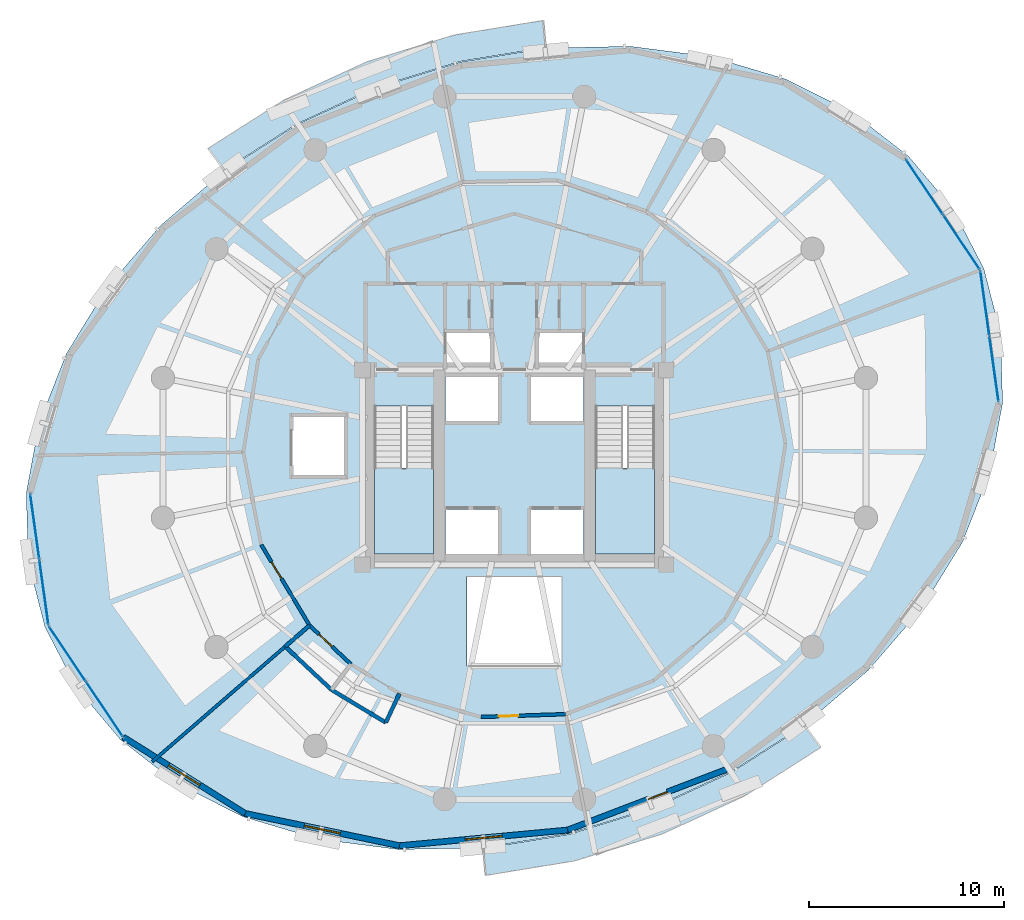
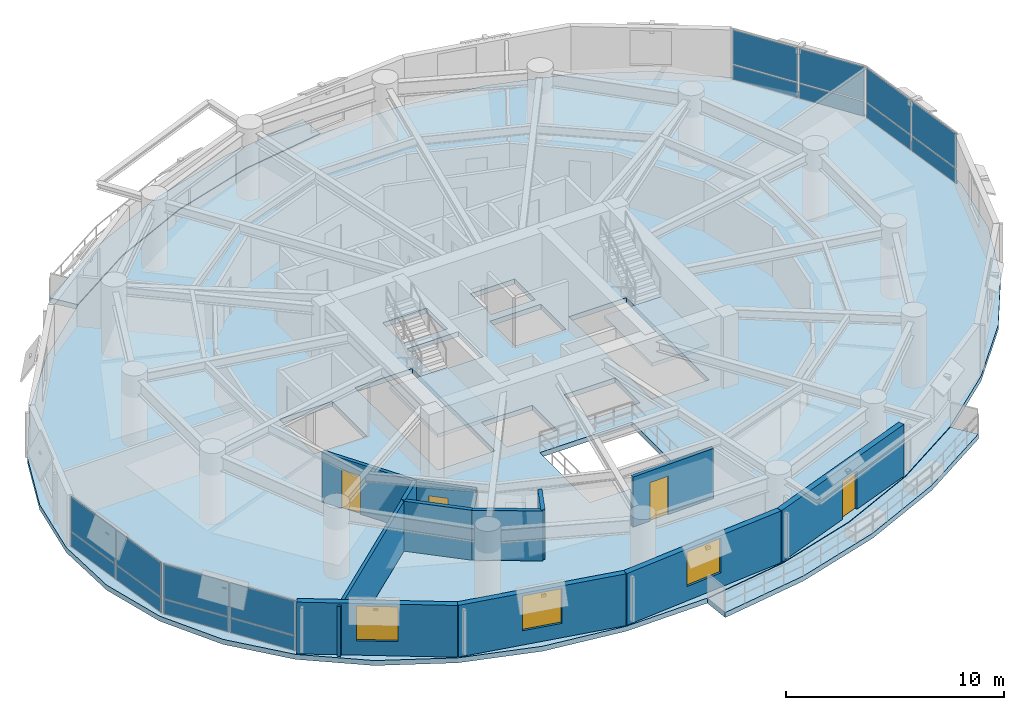
# One storey, part 9 of 15: 16 plates, 12 walls, 5 slabs, 4 doors, 3 windows, 7 openings, 6 elements without a shape of their own.
"""IFC4 building model written with IfcOpenShell, lengths in metres."""

from ifc_helpers import new_model, si_unit, direction, frame, frame_2d, origin, origin_2d, place, context, subcontext, project, spatial, polyline, rectangle, outline, extrude, material, layer, layer_set, type_object, element, fill, aggregate, save


model = new_model("IFC4")

# Units and contexts
model_context = context("Model", 3, precision=1e-05, world=origin(), true_north=direction((0.0, 1.0)))
body_context = subcontext(model_context, "Body", "Model", "MODEL_VIEW")
ifc_project = project(units=[si_unit("LENGTHUNIT", "METRE"), si_unit("AREAUNIT", "SQUARE_METRE"), si_unit("VOLUMEUNIT", "CUBIC_METRE"), si_unit("PLANEANGLEUNIT", "RADIAN"), si_unit("MASSUNIT", "GRAM", prefix="KILO"), si_unit("THERMODYNAMICTEMPERATUREUNIT", "KELVIN"), si_unit("POWERUNIT", "WATT")], contexts=[model_context])

# Site, building, storey
site_placement = place(None, origin())
site = spatial("IfcSite", under=ifc_project, at=site_placement, CompositionType="ELEMENT")
building_placement = place(site_placement, origin())
building = spatial("IfcBuilding", under=site, at=building_placement, Name="Ocrelia Relay Tower", CompositionType="ELEMENT")
storey_placement = place(building_placement, frame((0.0, 0.0, 121.800048828125)))
storey = spatial("IfcBuildingStorey", under=building, at=storey_placement, Name="L28", CompositionType="ELEMENT", Elevation=121.800048828125)

# Curtain wall, plates
ifc_material_1 = material(Name="Aluminium and solar-control low-E glass", Category="aluminium")
ifc_layer_1 = layer(ifc_material_1, 0.179931640625, Name="Aluminium and solar-control low-E glass")
ifc_layer_set_1 = layer_set([ifc_layer_1], Name="Aluminium and solar-control low-E glass")
curtain_wall_type = type_object("IfcCurtainWallType", Name="CW-SYS-Z2-SWIT", PredefinedType="NOTDEFINED", material=ifc_layer_set_1)
curtain_wall_1_placement = place(storey_placement, origin())
curtain_wall_1 = element("IfcCurtainWall", 1, at=curtain_wall_1_placement, inside=storey, type_object=curtain_wall_type, Name="L28 Elliptical Tower Curtain Wall Bay 01", PredefinedType="NOTDEFINED")
ifc_material_2 = material(Name="Clear double-glazed low-E glass", Category="glass")
ifc_layer_2 = layer(ifc_material_2, 0.031982421875, Name="Clear double-glazed low-E glass")
ifc_layer_set_2 = layer_set([ifc_layer_2], Name="Clear double-glazed low-E glass")
plate_type = type_object("IfcPlateType", Name="CW-SYS-Z2-SWIT-PNL", PredefinedType="CURTAIN_PANEL", material=ifc_layer_set_2)
plate_1_placement = place(storey_placement, frame((56.947509765625, 36.574951171875, 0.059814453125), z_axis=(0.0, 0.0, 1.0), x_axis=(-0.5572973393, 0.830312998579, 0.0)))
plate_1 = element("IfcPlate", 2, at=plate_1_placement, type_object=plate_type, Name="CW-Z2 panel 1.1", PredefinedType="CURTAIN_PANEL", context=body_context, shape_type="SweptSolid", body=[
    extrude(rectangle(XDim=3.33447265625, YDim=0.031982421875, at=origin_2d()), origin(), (0.0, 0.0, 1.0), 0.81005859375),
])
plate_2_placement = place(storey_placement, frame((56.947509765625, 36.574951171875, 0.93017578125), z_axis=(0.0, 0.0, 1.0), x_axis=(-0.5572973393, 0.830312998579, 0.0)))
plate_2 = element("IfcPlate", 3, at=plate_2_placement, type_object=plate_type, Name="CW-Z2 panel 1.2", PredefinedType="CURTAIN_PANEL", context=body_context, shape_type="SweptSolid", body=[
    extrude(rectangle(XDim=3.33447265625, YDim=0.031982421875, at=origin_2d()), origin(), (0.0, 0.0, 1.0), 1.909912109375),
])
plate_3_placement = place(storey_placement, frame((55.050048828125, 39.40185546875, 0.059814453125), z_axis=(0.0, 0.0, 1.0), x_axis=(-0.5572973393, 0.830312998579, 0.0)))
plate_3 = element("IfcPlate", 4, at=plate_3_placement, type_object=plate_type, Name="CW-Z2 panel 2.1", PredefinedType="CURTAIN_PANEL", context=body_context, shape_type="SweptSolid", body=[
    extrude(rectangle(XDim=3.33447265625, YDim=0.031982421875, at=origin_2d()), origin(), (0.0, 0.0, 1.0), 0.81005859375),
])
plate_4_placement = place(storey_placement, frame((55.050048828125, 39.40185546875, 0.93017578125), z_axis=(0.0, 0.0, 1.0), x_axis=(-0.5572973393, 0.830312998579, 0.0)))
plate_4 = element("IfcPlate", 5, at=plate_4_placement, type_object=plate_type, Name="CW-Z2 panel 2.2", PredefinedType="CURTAIN_PANEL", context=body_context, shape_type="SweptSolid", body=[
    extrude(rectangle(XDim=3.33447265625, YDim=0.031982421875, at=origin_2d()), origin(), (0.0, 0.0, 1.0), 1.909912109375),
])
aggregate(curtain_wall_1, [plate_1, plate_2, plate_3, plate_4])

curtain_wall_2_placement = place(storey_placement, origin())
curtain_wall_2 = element("IfcCurtainWall", 6, at=curtain_wall_2_placement, inside=storey, type_object=curtain_wall_type, Name="L28 Elliptical Tower Curtain Wall Bay 09", PredefinedType="NOTDEFINED")
plate_5_placement = place(storey_placement, frame((9.375, 21.960205078125, 0.059814453125), z_axis=(0.0, 0.0, 1.0), x_axis=(0.137983136196, -0.990434578418, 0.0)))
plate_5 = element("IfcPlate", 7, at=plate_5_placement, type_object=plate_type, Name="CW-Z2 panel 1.1", PredefinedType="CURTAIN_PANEL", context=body_context, shape_type="SweptSolid", body=[
    extrude(rectangle(XDim=3.33447265625, YDim=0.031982421875, at=origin_2d()), origin(), (0.0, 0.0, 1.0), 0.81005859375),
])
plate_6_placement = place(storey_placement, frame((9.375, 21.960205078125, 0.93017578125), z_axis=(0.0, 0.0, 1.0), x_axis=(0.137983136196, -0.990434578418, 0.0)))
plate_6 = element("IfcPlate", 8, at=plate_6_placement, type_object=plate_type, Name="CW-Z2 panel 1.2", PredefinedType="CURTAIN_PANEL", context=body_context, shape_type="SweptSolid", body=[
    extrude(rectangle(XDim=3.33447265625, YDim=0.031982421875, at=origin_2d()), origin(), (0.0, 0.0, 1.0), 1.909912109375),
])
plate_7_placement = place(storey_placement, frame((9.8447265625, 18.588134765625, 0.059814453125), z_axis=(0.0, 0.0, 1.0), x_axis=(0.137983136196, -0.990434578418, 0.0)))
plate_7 = element("IfcPlate", 9, at=plate_7_placement, type_object=plate_type, Name="CW-Z2 panel 2.1", PredefinedType="CURTAIN_PANEL", context=body_context, shape_type="SweptSolid", body=[
    extrude(rectangle(XDim=3.33447265625, YDim=0.031982421875, at=origin_2d()), origin(), (0.0, 0.0, 1.0), 0.81005859375),
])
plate_8_placement = place(storey_placement, frame((9.8447265625, 18.588134765625, 0.93017578125), z_axis=(0.0, 0.0, 1.0), x_axis=(0.137983136196, -0.990434578418, 0.0)))
plate_8 = element("IfcPlate", 10, at=plate_8_placement, type_object=plate_type, Name="CW-Z2 panel 2.2", PredefinedType="CURTAIN_PANEL", context=body_context, shape_type="SweptSolid", body=[
    extrude(rectangle(XDim=3.33447265625, YDim=0.031982421875, at=origin_2d()), origin(), (0.0, 0.0, 1.0), 1.909912109375),
])
aggregate(curtain_wall_2, [plate_5, plate_6, plate_7, plate_8])

curtain_wall_3_placement = place(storey_placement, origin())
curtain_wall_3 = element("IfcCurtainWall", 11, at=curtain_wall_3_placement, inside=storey, type_object=curtain_wall_type, Name="L28 Elliptical Tower Curtain Wall Bay 10", PredefinedType="NOTDEFINED")
plate_9_placement = place(storey_placement, frame((11.052490234375, 15.425048828125, 0.059814453125), z_axis=(0.0, 0.0, 1.0), x_axis=(0.5572973393, -0.830312998579, 0.0)))
plate_9 = element("IfcPlate", 12, at=plate_9_placement, type_object=plate_type, Name="CW-Z2 panel 1.1", PredefinedType="CURTAIN_PANEL", context=body_context, shape_type="SweptSolid", body=[
    extrude(rectangle(XDim=3.33447265625, YDim=0.031982421875, at=origin_2d()), origin(), (0.0, 0.0, 1.0), 0.81005859375),
])
plate_10_placement = place(storey_placement, frame((11.052490234375, 15.425048828125, 0.93017578125), z_axis=(0.0, 0.0, 1.0), x_axis=(0.5572973393, -0.830312998579, 0.0)))
plate_10 = element("IfcPlate", 13, at=plate_10_placement, type_object=plate_type, Name="CW-Z2 panel 1.2", PredefinedType="CURTAIN_PANEL", context=body_context, shape_type="SweptSolid", body=[
    extrude(rectangle(XDim=3.33447265625, YDim=0.031982421875, at=origin_2d()), origin(), (0.0, 0.0, 1.0), 1.909912109375),
])
plate_11_placement = place(storey_placement, frame((12.949951171875, 12.59814453125, 0.059814453125), z_axis=(0.0, 0.0, 1.0), x_axis=(0.5572973393, -0.830312998579, 0.0)))
plate_11 = element("IfcPlate", 14, at=plate_11_placement, type_object=plate_type, Name="CW-Z2 panel 2.1", PredefinedType="CURTAIN_PANEL", context=body_context, shape_type="SweptSolid", body=[
    extrude(rectangle(XDim=3.33447265625, YDim=0.031982421875, at=origin_2d()), origin(), (0.0, 0.0, 1.0), 0.81005859375),
])
plate_12_placement = place(storey_placement, frame((12.949951171875, 12.59814453125, 0.93017578125), z_axis=(0.0, 0.0, 1.0), x_axis=(0.5572973393, -0.830312998579, 0.0)))
plate_12 = element("IfcPlate", 15, at=plate_12_placement, type_object=plate_type, Name="CW-Z2 panel 2.2", PredefinedType="CURTAIN_PANEL", context=body_context, shape_type="SweptSolid", body=[
    extrude(rectangle(XDim=3.33447265625, YDim=0.031982421875, at=origin_2d()), origin(), (0.0, 0.0, 1.0), 1.909912109375),
])
aggregate(curtain_wall_3, [plate_9, plate_10, plate_11, plate_12])

curtain_wall_4_placement = place(storey_placement, origin())
curtain_wall_4 = element("IfcCurtainWall", 16, at=curtain_wall_4_placement, inside=storey, type_object=curtain_wall_type, Name="L28 Elliptical Tower Curtain Wall Bay 18", PredefinedType="NOTDEFINED")
plate_13_placement = place(storey_placement, frame((58.625, 30.039794921875, 0.059814453125), z_axis=(0.0, 0.0, 1.0), x_axis=(-0.137983136196, 0.990434578418, 0.0)))
plate_13 = element("IfcPlate", 17, at=plate_13_placement, type_object=plate_type, Name="CW-Z2 panel 1.1", PredefinedType="CURTAIN_PANEL", context=body_context, shape_type="SweptSolid", body=[
    extrude(rectangle(XDim=3.33447265625, YDim=0.031982421875, at=origin_2d()), origin(), (0.0, 0.0, 1.0), 0.81005859375),
])
plate_14_placement = place(storey_placement, frame((58.625, 30.039794921875, 0.93017578125), z_axis=(0.0, 0.0, 1.0), x_axis=(-0.137983136196, 0.990434578418, 0.0)))
plate_14 = element("IfcPlate", 18, at=plate_14_placement, type_object=plate_type, Name="CW-Z2 panel 1.2", PredefinedType="CURTAIN_PANEL", context=body_context, shape_type="SweptSolid", body=[
    extrude(rectangle(XDim=3.33447265625, YDim=0.031982421875, at=origin_2d()), origin(), (0.0, 0.0, 1.0), 1.909912109375),
])
plate_15_placement = place(storey_placement, frame((58.1552734375, 33.411865234375, 0.059814453125), z_axis=(0.0, 0.0, 1.0), x_axis=(-0.137983136196, 0.990434578418, 0.0)))
plate_15 = element("IfcPlate", 19, at=plate_15_placement, type_object=plate_type, Name="CW-Z2 panel 2.1", PredefinedType="CURTAIN_PANEL", context=body_context, shape_type="SweptSolid", body=[
    extrude(rectangle(XDim=3.33447265625, YDim=0.031982421875, at=origin_2d()), origin(), (0.0, 0.0, 1.0), 0.81005859375),
])
plate_16_placement = place(storey_placement, frame((58.1552734375, 33.411865234375, 0.93017578125), z_axis=(0.0, 0.0, 1.0), x_axis=(-0.137983136196, 0.990434578418, 0.0)))
plate_16 = element("IfcPlate", 20, at=plate_16_placement, type_object=plate_type, Name="CW-Z2 panel 2.2", PredefinedType="CURTAIN_PANEL", context=body_context, shape_type="SweptSolid", body=[
    extrude(rectangle(XDim=3.33447265625, YDim=0.031982421875, at=origin_2d()), origin(), (0.0, 0.0, 1.0), 1.909912109375),
])
aggregate(curtain_wall_4, [plate_13, plate_14, plate_15, plate_16])

# Slabs
ifc_material_3 = material(Name="Precast concrete C40/50", Category="concrete")
ifc_layer_3 = layer(ifc_material_3, 0.280029296875, Name="Precast concrete C40/50")
ifc_layer_set_3 = layer_set([ifc_layer_3], Name="Precast concrete C40/50")
slab_type_1 = type_object("IfcSlabType", Name="SL-BALC-280", PredefinedType="FLOOR", material=ifc_layer_set_3)
slab_1_placement = place(storey_placement, frame((0.0, 0.0, -0.280029296875)))
element("IfcSlab", 21, at=slab_1_placement, inside=storey, type_object=slab_type_1, Name="L28 Planted Loggia Balcony B1", PredefinedType="FLOOR", context=body_context, shape_type="SweptSolid", body=[
    extrude(outline(polyline([(35.603515625, 46.5595703125), (33.412841796875, 46.20166015625), (31.222412109375, 45.84375), (26.92578125, 44.525390625), (22.843994140625, 42.644287109375), (20.97265625, 41.451171875), (19.10107421875, 40.258056640625), (18.27099609375, 41.377197265625), (20.223876953125, 42.622314453125), (22.176513671875, 43.8671875), (26.428955078125, 45.826904296875), (30.90478515625, 47.2001953125), (33.1904296875, 47.57373046875), (35.47607421875, 47.947265625), (35.603515625, 46.5595703125)])), origin(), (0.0, 0.0, 1.0), 0.280029296875),
])
slab_2_placement = place(storey_placement, frame((0.0, 0.0, -0.280029296875)))
element("IfcSlab", 22, at=slab_2_placement, inside=storey, type_object=slab_type_1, Name="L28 Planted Loggia Balcony B2", PredefinedType="FLOOR", context=body_context, shape_type="SweptSolid", body=[
    extrude(outline(polyline([(32.396484375, 5.4404296875), (34.587158203125, 5.79833984375), (36.777587890625, 6.15625), (41.07421875, 7.474609375), (45.156005859375, 9.355712890625), (47.02734375, 10.548828125), (48.89892578125, 11.741943359375), (49.72900390625, 10.622802734375), (47.776123046875, 9.377685546875), (45.823486328125, 8.1328125), (41.571044921875, 6.173095703125), (37.09521484375, 4.7998046875), (34.8095703125, 4.42626953125), (32.52392578125, 4.052734375), (32.396484375, 5.4404296875)])), origin(), (0.0, 0.0, 1.0), 0.280029296875),
])
ifc_material_4 = material(Name="Concrete C50/60", Category="concrete")
ifc_layer_4 = layer(ifc_material_4, 0.280029296875, Name="Concrete C50/60")
ifc_layer_set_4 = layer_set([ifc_layer_4], Name="Concrete C50/60")
slab_type_2 = type_object("IfcSlabType", Name="SL-FLR-280", PredefinedType="FLOOR", material=ifc_layer_set_4)
slab_3_placement = place(storey_placement, frame((0.0, 0.0, -0.280029296875)))
element("IfcSlab", 23, at=slab_3_placement, inside=storey, type_object=slab_type_2, Name="L28 Elliptical Tower Floor Slab", PredefinedType="FLOOR", context=body_context, shape_type="SweptSolid", body=[
    extrude(outline(polyline([(58.1025390625, 35.203857421875), (56.509765625, 38.27587890625), (54.233154296875, 40.97509765625), (51.341552734375, 43.219482421875), (47.92333984375, 44.9404296875), (44.081787109375, 46.085693359375), (39.93408203125, 46.62109375), (35.606201171875, 46.529541015625), (31.229248046875, 45.814453125), (26.9365234375, 44.497314453125), (22.8583984375, 42.617919921875), (19.118896484375, 40.23388671875), (15.831787109375, 37.417236328125), (13.09619140625, 34.253662109375), (10.99609375, 30.83935546875), (9.594970703125, 27.27783203125), (8.935302734375, 23.677734375), (9.037109375, 20.14794921875), (9.8974609375, 16.796142578125), (11.490234375, 13.72412109375), (13.766845703125, 11.02490234375), (16.658447265625, 8.780517578125), (20.07666015625, 7.0595703125), (23.918212890625, 5.914306640625), (28.06591796875, 5.37890625), (32.393798828125, 5.470458984375), (36.770751953125, 6.185546875), (41.0634765625, 7.502685546875), (45.1416015625, 9.382080078125), (48.881103515625, 11.76611328125), (52.168212890625, 14.582763671875), (54.90380859375, 17.746337890625), (57.00390625, 21.16064453125), (58.405029296875, 24.72216796875), (59.064697265625, 28.322265625), (58.962890625, 31.85205078125), (58.1025390625, 35.203857421875)]), holes=[polyline([(26.81005859375, 28.14990234375), (26.81005859375, 20.550048828125), (29.85009765625, 20.550048828125), (29.85009765625, 28.14990234375), (26.81005859375, 28.14990234375)]), polyline([(38.159912109375, 28.14990234375), (38.159912109375, 20.550048828125), (41.199951171875, 20.550048828125), (41.199951171875, 28.14990234375), (38.159912109375, 28.14990234375)]), polyline([(30.4599609375, 20.550048828125), (33.159912109375, 20.550048828125), (33.159912109375, 22.85009765625), (30.4599609375, 22.85009765625), (30.4599609375, 20.550048828125)]), polyline([(34.840087890625, 20.550048828125), (37.5400390625, 20.550048828125), (37.5400390625, 22.85009765625), (34.840087890625, 22.85009765625), (34.840087890625, 20.550048828125)]), polyline([(30.4599609375, 27.35009765625), (33.159912109375, 27.35009765625), (33.159912109375, 29.64990234375), (30.4599609375, 29.64990234375), (30.4599609375, 27.35009765625)]), polyline([(34.840087890625, 27.35009765625), (37.5400390625, 27.35009765625), (37.5400390625, 29.64990234375), (34.840087890625, 29.64990234375), (34.840087890625, 27.35009765625)]), polyline([(30.5, 30.10009765625), (32.85009765625, 30.10009765625), (32.85009765625, 32.0), (30.5, 32.0), (30.5, 30.10009765625)]), polyline([(35.14990234375, 30.10009765625), (37.5, 30.10009765625), (37.5, 32.0), (35.14990234375, 32.0), (35.14990234375, 30.10009765625)]), polyline([(22.550048828125, 24.5), (25.35009765625, 24.5), (25.35009765625, 27.699951171875), (22.550048828125, 27.699951171875), (22.550048828125, 24.5)]), polyline([(31.550048828125, 14.800048828125), (36.449951171875, 14.800048828125), (36.449951171875, 19.39990234375), (31.550048828125, 19.39990234375), (31.550048828125, 14.800048828125)])]), origin(), (0.0, 0.0, 1.0), 0.280029296875),
])

# Stair, slab
stair_type = type_object("IfcStairType", Name="ST-DL-1420-R167", PredefinedType="HALF_TURN_STAIR", material=ifc_material_4)
stair_1_placement = place(storey_placement, origin())
stair_1 = element("IfcStair", 24, at=stair_1_placement, inside=storey, type_object=stair_type, Name="L28 West Core Exit Stair ST1", PredefinedType="HALF_TURN_STAIR")
ifc_layer_5 = layer(ifc_material_4, 0.199951171875, Name="Concrete C50/60")
ifc_layer_set_5 = layer_set([ifc_layer_5], Name="Concrete C50/60")
slab_type_3 = type_object("IfcSlabType", Name="SL-LANDING-200", PredefinedType="LANDING", material=ifc_layer_set_5)
slab_4_placement = place(storey_placement, frame((0.0, 0.0, 1.800048828125)))
slab_4 = element("IfcSlab", 25, at=slab_4_placement, type_object=slab_type_3, Name="ST1 landing 1", PredefinedType="LANDING", context=body_context, shape_type="SweptSolid", body=[
    extrude(outline(polyline([(26.81005859375, 24.9599609375), (26.81005859375, 20.550048828125), (29.85009765625, 20.550048828125), (29.85009765625, 24.9599609375), (26.81005859375, 24.9599609375)])), origin(), (0.0, 0.0, 1.0), 0.199951171875),
])
aggregate(stair_1, [slab_4])

stair_2_placement = place(storey_placement, origin())
stair_2 = element("IfcStair", 26, at=stair_2_placement, inside=storey, type_object=stair_type, Name="L28 East Core Exit Stair ST2", PredefinedType="HALF_TURN_STAIR")
slab_5_placement = place(storey_placement, frame((0.0, 0.0, 1.800048828125)))
slab_5 = element("IfcSlab", 27, at=slab_5_placement, type_object=slab_type_3, Name="ST2 landing 1", PredefinedType="LANDING", context=body_context, shape_type="SweptSolid", body=[
    extrude(outline(polyline([(38.159912109375, 24.9599609375), (38.159912109375, 20.550048828125), (41.199951171875, 20.550048828125), (41.199951171875, 24.9599609375), (38.159912109375, 24.9599609375)])), origin(), (0.0, 0.0, 1.0), 0.199951171875),
])
aggregate(stair_2, [slab_5])

# Wall, opening, door
ifc_material_5 = material(Name="Gypsum Fireboard Partition EI60", Category="gypsum")
ifc_layer_6 = layer(ifc_material_5, 0.179931640625, Name="Gypsum Fireboard Partition EI60")
ifc_layer_set_6 = layer_set([ifc_layer_6], Name="Gypsum Fireboard Partition EI60")
wall_type_1 = type_object("IfcWallType", Name="W-CORR-EI60-180", PredefinedType="PARTITIONING", material=ifc_layer_set_6)
wall_1_placement = place(storey_placement, frame((23.478515625, 16.885986328125, 0.0), z_axis=(0.0, 0.0, 1.0), x_axis=(0.730167440001, -0.683268255931, 0.0)))
wall_1 = element("IfcWall", 28, at=wall_1_placement, inside=storey, type_object=wall_type_1, Name="L28 Staff Toilet Corridor Wall", PredefinedType="PARTITIONING", context=body_context, shape_type="SweptSolid", body=[
    extrude(rectangle(XDim=2.909912109375, YDim=0.179931640625, at=frame_2d((1.455078125, 0.0))), origin(), (0.0, 0.0, 1.0), 2.800048828125),
])
opening_1_placement = place(wall_1_placement, frame((0.6689453125, 0.0, 0.0)))
opening_1 = element("IfcOpeningElement", 29, at=opening_1_placement, cuts=wall_1, Name="Opening D-WC92", PredefinedType="OPENING", context=body_context, shape_type="SweptSolid", body=[
    extrude(rectangle(XDim=0.919921875, YDim=2.10009765625, at=frame_2d((0.4599609375, 1.050048828125))), frame((0.0, 0.10009765625, 0.0), z_axis=(0.0, -1.0, 0.0), x_axis=(1.0, 0.0, 0.0)), (0.0, 0.0, 1.0), 0.199951171875),
])
ifc_material_6 = material(Name="Laminate washroom door", Category="wood")
door_type_1 = type_object("IfcDoorType", Name="DR-WC-920", OperationType="NOTDEFINED", PredefinedType="DOOR", material=ifc_material_6)
door_1_placement = place(opening_1_placement, origin())
door_1 = element("IfcDoor", 30, at=door_1_placement, inside=storey, type_object=door_type_1, Name="L28 Staff Toilet Door", OperationType="SINGLE_SWING_RIGHT", OverallHeight=2.10009765625, OverallWidth=0.919921875, PredefinedType="DOOR", context=body_context, shape_type="SweptSolid", body=[
    extrude(rectangle(XDim=0.919921875, YDim=2.10009765625, at=frame_2d((0.4599609375, 1.050048828125))), frame((0.0, 0.02490234375, 0.0), z_axis=(0.0, -1.0, 0.0), x_axis=(1.0, 0.0, 0.0)), (0.0, 0.0, 1.0), 0.050048828125),
])
fill(opening_1, door_1)

wall_2_placement = place(storey_placement, frame((32.279541015625, 12.186767578125, 0.0), z_axis=(0.0, 0.0, 1.0), x_axis=(0.999450987856, 0.033131901157, 0.0)))
wall_2 = element("IfcWall", 31, at=wall_2_placement, inside=storey, type_object=wall_type_1, Name="L28 Innovation Club Room Corridor Partition 2", PredefinedType="PARTITIONING", context=body_context, shape_type="SweptSolid", body=[
    extrude(rectangle(XDim=4.35498046875, YDim=0.179931640625, at=frame_2d((2.177490234375, 0.0))), origin(), (0.0, 0.0, 1.0), 2.800048828125),
])
opening_2_placement = place(wall_2_placement, frame((0.913818359375, 0.0, 0.0)))
opening_2 = element("IfcOpeningElement", 32, at=opening_2_placement, cuts=wall_2, Name="Opening D-RM100", PredefinedType="OPENING", context=body_context, shape_type="SweptSolid", body=[
    extrude(rectangle(XDim=1.0, YDim=2.14990234375, at=frame_2d((0.5, 1.074951171875))), frame((0.0, 0.10009765625, 0.0), z_axis=(0.0, -1.0, 0.0), x_axis=(1.0, 0.0, 0.0)), (0.0, 0.0, 1.0), 0.199951171875),
])
ifc_material_7 = material(Name="Acoustic oak veneer fire door", Category="wood")
door_type_2 = type_object("IfcDoorType", Name="DR-ROOM-FD60-1000", OperationType="NOTDEFINED", PredefinedType="DOOR", material=ifc_material_7)
door_2_placement = place(opening_2_placement, origin())
door_2 = element("IfcDoor", 33, at=door_2_placement, inside=storey, type_object=door_type_2, Name="L28 Innovation Club Room Entrance Door", OperationType="SINGLE_SWING_RIGHT", OverallHeight=2.14990234375, OverallWidth=1.0, PredefinedType="DOOR", context=body_context, shape_type="SweptSolid", body=[
    extrude(rectangle(XDim=1.0, YDim=2.14990234375, at=frame_2d((0.5, 1.074951171875))), frame((0.0, 0.02490234375, 0.0), z_axis=(0.0, -1.0, 0.0), x_axis=(1.0, 0.0, 0.0)), (0.0, 0.0, 1.0), 0.050048828125),
])
fill(opening_2, door_2)

wall_3_placement = place(storey_placement, frame((20.995849609375, 21.0341796875, 0.0), z_axis=(0.0, 0.0, 1.0), x_axis=(0.513544831917, -0.858062763212, 0.0)))
wall_3 = element("IfcWall", 34, at=wall_3_placement, inside=storey, type_object=wall_type_1, Name="L28 Executive Reading Study Corridor Partition 2", PredefinedType="PARTITIONING", context=body_context, shape_type="SweptSolid", body=[
    extrude(rectangle(XDim=4.83447265625, YDim=0.179931640625, at=frame_2d((2.417236328125, 0.0))), origin(), (0.0, 0.0, 1.0), 2.800048828125),
])
opening_3_placement = place(wall_3_placement, frame((1.03369140625, 0.0, 0.0)))
opening_3 = element("IfcOpeningElement", 35, at=opening_3_placement, cuts=wall_3, Name="Opening D-RM100", PredefinedType="OPENING", context=body_context, shape_type="SweptSolid", body=[
    extrude(rectangle(XDim=1.0, YDim=2.14990234375, at=frame_2d((0.5, 1.074951171875))), frame((0.0, 0.10009765625, 0.0), z_axis=(0.0, -1.0, 0.0), x_axis=(1.0, 0.0, 0.0)), (0.0, 0.0, 1.0), 0.199951171875),
])
door_3_placement = place(opening_3_placement, origin())
door_3 = element("IfcDoor", 36, at=door_3_placement, inside=storey, type_object=door_type_2, Name="L28 Executive Reading Study Entrance Door", OperationType="SINGLE_SWING_RIGHT", OverallHeight=2.14990234375, OverallWidth=1.0, PredefinedType="DOOR", context=body_context, shape_type="SweptSolid", body=[
    extrude(rectangle(XDim=1.0, YDim=2.14990234375, at=frame_2d((0.5, 1.074951171875))), frame((0.0, 0.02490234375, 0.0), z_axis=(0.0, -1.0, 0.0), x_axis=(1.0, 0.0, 0.0)), (0.0, 0.0, 1.0), 0.050048828125),
])
fill(opening_3, door_3)

# Wall, opening, window
ifc_material_8 = material(Name="Precast concrete C40/50 with oxide terracotta", Category="masonry")
ifc_layer_7 = layer(ifc_material_8, 0.300048828125, Name="Precast concrete C40/50 with oxide terracotta")
ifc_layer_set_7 = layer_set([ifc_layer_7], Name="Precast concrete C40/50 with oxide terracotta")
wall_type_2 = type_object("IfcWallType", Name="W-EXT-TERR-300", PredefinedType="SOLIDWALL", material=ifc_layer_set_7)
wall_4_placement = place(storey_placement, frame((13.918212890625, 11.15576171875, 0.0), z_axis=(0.0, 0.0, 1.0), x_axis=(0.847299081662, -0.531116057199, 0.0)))
wall_4 = element("IfcWall", 37, at=wall_4_placement, inside=storey, type_object=wall_type_2, Name="L28 Oxide Terracotta Facade Wall 11", PredefinedType="SOLIDWALL", context=body_context, shape_type="SweptSolid", body=[
    extrude(rectangle(XDim=7.38330078125, YDim=0.300048828125, at=frame_2d((3.691650390625, 0.0))), origin(), (0.0, 0.0, 1.0), 2.89990234375),
])
opening_4_placement = place(wall_4_placement, frame((2.741943359375, 0.0, 0.800048828125)))
opening_4 = element("IfcOpeningElement", 38, at=opening_4_placement, cuts=wall_4, Name="Opening W-06", PredefinedType="OPENING", context=body_context, shape_type="SweptSolid", body=[
    extrude(rectangle(XDim=1.89990234375, YDim=1.949951171875, at=frame_2d((0.949951171875, 0.97509765625))), frame((0.0, 0.16015625, 0.0), z_axis=(0.0, -1.0, 0.0), x_axis=(1.0, 0.0, 0.0)), (0.0, 0.0, 1.0), 0.320068359375),
])
window_type = type_object("IfcWindowType", Name="WIN-Z2-1900x2100", PartitioningType="DOUBLE_PANEL_VERTICAL", PredefinedType="WINDOW", material=ifc_material_2)
window_1_placement = place(opening_4_placement, origin())
window_1 = element("IfcWindow", 39, at=window_1_placement, inside=storey, type_object=window_type, Name="L28 Facade Module Window 11", OverallHeight=1.949951171875, OverallWidth=1.89990234375, PartitioningType="SINGLE_PANEL", PredefinedType="WINDOW", context=body_context, shape_type="SweptSolid", body=[
    extrude(rectangle(XDim=1.89990234375, YDim=1.949951171875, at=frame_2d((0.949951171875, 0.97509765625))), frame((0.0, 0.030029296875, 0.0), z_axis=(0.0, -1.0, 0.0), x_axis=(1.0, 0.0, 0.0)), (0.0, 0.0, 1.0), 0.06005859375),
])
fill(opening_4, window_1)

wall_5_placement = place(storey_placement, frame((20.174072265625, 7.234375, 0.0), z_axis=(0.0, 0.0, 1.0), x_axis=(0.978800890802, -0.20481410148, 0.0)))
wall_5 = element("IfcWall", 40, at=wall_5_placement, inside=storey, type_object=wall_type_2, Name="L28 Oxide Terracotta Facade Wall 12", PredefinedType="SOLIDWALL", context=body_context, shape_type="SweptSolid", body=[
    extrude(rectangle(XDim=8.094970703125, YDim=0.300048828125, at=frame_2d((4.04736328125, 0.0))), origin(), (0.0, 0.0, 1.0), 2.89990234375),
])
opening_5_placement = place(wall_5_placement, frame((3.097900390625, 0.0, 0.800048828125)))
opening_5 = element("IfcOpeningElement", 41, at=opening_5_placement, cuts=wall_5, Name="Opening W-06", PredefinedType="OPENING", context=body_context, shape_type="SweptSolid", body=[
    extrude(rectangle(XDim=1.89990234375, YDim=1.949951171875, at=frame_2d((0.949951171875, 0.97509765625))), frame((0.0, 0.16015625, 0.0), z_axis=(0.0, -1.0, 0.0), x_axis=(1.0, 0.0, 0.0)), (0.0, 0.0, 1.0), 0.320068359375),
])
window_2_placement = place(opening_5_placement, origin())
window_2 = element("IfcWindow", 42, at=window_2_placement, inside=storey, type_object=window_type, Name="L28 Facade Module Window 12", OverallHeight=1.949951171875, OverallWidth=1.89990234375, PartitioningType="SINGLE_PANEL", PredefinedType="WINDOW", context=body_context, shape_type="SweptSolid", body=[
    extrude(rectangle(XDim=1.89990234375, YDim=1.949951171875, at=frame_2d((0.949951171875, 0.97509765625))), frame((0.0, 0.030029296875, 0.0), z_axis=(0.0, -1.0, 0.0), x_axis=(1.0, 0.0, 0.0)), (0.0, 0.0, 1.0), 0.06005859375),
])
fill(opening_5, window_2)

wall_6_placement = place(storey_placement, frame((28.097412109375, 5.576416015625, 0.0), z_axis=(0.0, 0.0, 1.0), x_axis=(0.995678666902, 0.092865452549, 0.0)))
wall_6 = element("IfcWall", 43, at=wall_6_placement, inside=storey, type_object=wall_type_2, Name="L28 Oxide Terracotta Facade Wall 13", PredefinedType="SOLIDWALL", context=body_context, shape_type="SweptSolid", body=[
    extrude(rectangle(XDim=8.673095703125, YDim=0.300048828125, at=frame_2d((4.33642578125, 0.0))), origin(), (0.0, 0.0, 1.0), 2.89990234375),
])
opening_6_placement = place(wall_6_placement, frame((3.385986328125, 0.0, 0.800048828125)))
opening_6 = element("IfcOpeningElement", 44, at=opening_6_placement, cuts=wall_6, Name="Opening W-06", PredefinedType="OPENING", context=body_context, shape_type="SweptSolid", body=[
    extrude(rectangle(XDim=1.89990234375, YDim=1.949951171875, at=frame_2d((0.949951171875, 0.97509765625))), frame((0.0, 0.16015625, 0.0), z_axis=(0.0, -1.0, 0.0), x_axis=(1.0, 0.0, 0.0)), (0.0, 0.0, 1.0), 0.320068359375),
])
window_3_placement = place(opening_6_placement, origin())
window_3 = element("IfcWindow", 45, at=window_3_placement, inside=storey, type_object=window_type, Name="L28 Facade Module Window 13", OverallHeight=1.949951171875, OverallWidth=1.89990234375, PartitioningType="SINGLE_PANEL", PredefinedType="WINDOW", context=body_context, shape_type="SweptSolid", body=[
    extrude(rectangle(XDim=1.89990234375, YDim=1.949951171875, at=frame_2d((0.949951171875, 0.97509765625))), frame((0.0, 0.030029296875, 0.0), z_axis=(0.0, -1.0, 0.0), x_axis=(1.0, 0.0, 0.0)), (0.0, 0.0, 1.0), 0.06005859375),
])
fill(opening_6, window_3)

# Wall, opening, door
wall_7_placement = place(storey_placement, frame((36.73291015625, 6.3818359375, 0.0), z_axis=(0.0, 0.0, 1.0), x_axis=(0.934198586352, 0.356753418003, 0.0)))
wall_7 = element("IfcWall", 46, at=wall_7_placement, inside=storey, type_object=wall_type_2, Name="L28 Oxide Terracotta Facade Wall 14", PredefinedType="SOLIDWALL", context=body_context, shape_type="SweptSolid", body=[
    extrude(rectangle(XDim=8.890869140625, YDim=0.300048828125, at=frame_2d((4.4453125, 0.0))), origin(), (0.0, 0.0, 1.0), 2.89990234375),
])
opening_7_placement = place(wall_7_placement, frame((4.429931640625, 0.0, 0.0)))
opening_7 = element("IfcOpeningElement", 47, at=opening_7_placement, cuts=wall_7, Name="Opening DB-105", PredefinedType="OPENING", context=body_context, shape_type="SweptSolid", body=[
    extrude(rectangle(XDim=1.050048828125, YDim=2.14990234375, at=frame_2d((0.52490234375, 1.074951171875))), frame((0.0, 0.16015625, 0.0), z_axis=(0.0, -1.0, 0.0), x_axis=(1.0, 0.0, 0.0)), (0.0, 0.0, 1.0), 0.320068359375),
])
ifc_material_9 = material(Name="Thermally broken aluminium and clear glass", Category="aluminium")
door_type_3 = type_object("IfcDoorType", Name="DR-BALC-1050", OperationType="NOTDEFINED", PredefinedType="DOOR", material=ifc_material_9)
door_4_placement = place(opening_7_placement, origin())
door_4 = element("IfcDoor", 48, at=door_4_placement, inside=storey, type_object=door_type_3, Name="L28 Planted Loggia Balcony Door B2", OperationType="SINGLE_SWING_LEFT", OverallHeight=2.14990234375, OverallWidth=1.050048828125, PredefinedType="DOOR", context=body_context, shape_type="SweptSolid", body=[
    extrude(rectangle(XDim=1.050048828125, YDim=2.14990234375, at=frame_2d((0.52490234375, 1.074951171875))), frame((0.0, 0.02490234375, 0.0), z_axis=(0.0, -1.0, 0.0), x_axis=(1.0, 0.0, 0.0)), (0.0, 0.0, 1.0), 0.050048828125),
])
fill(opening_7, door_4)

# Walls
ifc_material_10 = material(Name="Acoustic Fireboard Partition EI60", Category="gypsum")
ifc_layer_8 = layer(ifc_material_10, 0.159912109375, Name="Acoustic Fireboard Partition EI60")
ifc_layer_set_8 = layer_set([ifc_layer_8], Name="Acoustic Fireboard Partition EI60")
wall_type_3 = type_object("IfcWallType", Name="W-PART-160", PredefinedType="PARTITIONING", material=ifc_layer_set_8)
wall_8_placement = place(storey_placement, frame((22.2314453125, 15.8056640625, 0.0), z_axis=(0.0, 0.0, 1.0), x_axis=(-0.755858471294, -0.65473503906, 0.0)))
element("IfcWall", 49, at=wall_8_placement, inside=storey, type_object=wall_type_3, Name="L28 Innovation Club Room Radial Partition", PredefinedType="PARTITIONING", context=body_context, shape_type="SweptSolid", body=[
    extrude(rectangle(XDim=9.0341796875, YDim=0.159912109375, at=frame_2d((4.51708984375, 0.0))), origin(), (0.0, 0.0, 1.0), 2.800048828125),
])
ifc_material_11 = material(Name="Moisture-Resistant Fireboard Chase Wall EI60", Category="gypsum")
ifc_layer_9 = layer(ifc_material_11, 0.199951171875, Name="Moisture-Resistant Fireboard Chase Wall EI60")
ifc_layer_set_9 = layer_set([ifc_layer_9], Name="Moisture-Resistant Fireboard Chase Wall EI60")
wall_type_4 = type_object("IfcWallType", Name="W-PLUMB-200", PredefinedType="PLUMBINGWALL", material=ifc_layer_set_9)
wall_9_placement = place(storey_placement, frame((23.478515625, 16.885986328125, 0.0), z_axis=(0.0, 0.0, 1.0), x_axis=(-0.755830650618, -0.654767155244, 0.0)))
element("IfcWall", 50, at=wall_9_placement, inside=storey, type_object=wall_type_4, Name="L28 Staff Toilet Plumbing Radial Wall", PredefinedType="PLUMBINGWALL", context=body_context, shape_type="SweptSolid", body=[
    extrude(rectangle(XDim=1.64990234375, YDim=0.199951171875, at=frame_2d((0.824951171875, 0.0))), origin(), (0.0, 0.0, 1.0), 2.800048828125),
])
wall_10_placement = place(storey_placement, frame((22.2314453125, 15.8056640625, 0.0), z_axis=(0.0, 0.0, 1.0), x_axis=(0.730156733986, -0.683279696622, 0.0)))
element("IfcWall", 51, at=wall_10_placement, inside=storey, type_object=wall_type_4, Name="L28 Staff Toilet Back Plumbing Wall", PredefinedType="PLUMBINGWALL", context=body_context, shape_type="SweptSolid", body=[
    extrude(rectangle(XDim=3.255126953125, YDim=0.199951171875, at=frame_2d((1.62744140625, 0.0))), origin(), (0.0, 0.0, 1.0), 2.800048828125),
])
wall_11_placement = place(storey_placement, frame((28.09521484375, 13.39453125, 0.0), z_axis=(0.0, 0.0, 1.0), x_axis=(-0.424221569147, -0.905558424548, 0.0)))
element("IfcWall", 52, at=wall_11_placement, inside=storey, type_object=wall_type_4, Name="L28 Accessible Toilet Plumbing Radial Wall", PredefinedType="PLUMBINGWALL", context=body_context, shape_type="SweptSolid", body=[
    extrude(rectangle(XDim=1.64990234375, YDim=0.199951171875, at=frame_2d((0.824951171875, 0.0))), origin(), (0.0, 0.0, 1.0), 2.800048828125),
])
wall_12_placement = place(storey_placement, frame((24.608154296875, 13.58154296875, 0.0), z_axis=(0.0, 0.0, 1.0), x_axis=(0.856286042874, -0.516501900073, 0.0)))
element("IfcWall", 53, at=wall_12_placement, inside=storey, type_object=wall_type_4, Name="L28 Accessible Toilet Back Plumbing Wall", PredefinedType="PLUMBINGWALL", context=body_context, shape_type="SweptSolid", body=[
    extrude(rectangle(XDim=3.2548828125, YDim=0.199951171875, at=frame_2d((1.62744140625, 0.0))), origin(), (0.0, 0.0, 1.0), 2.800048828125),
])

save(model, "model.ifc")
